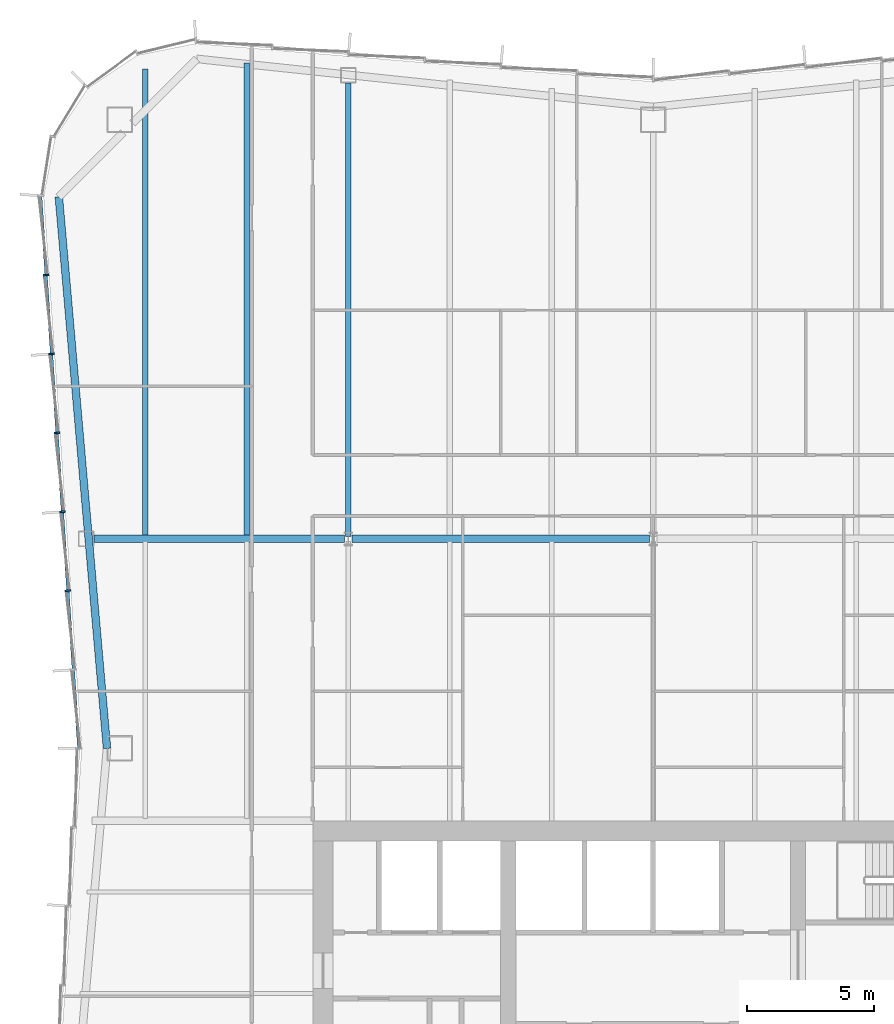
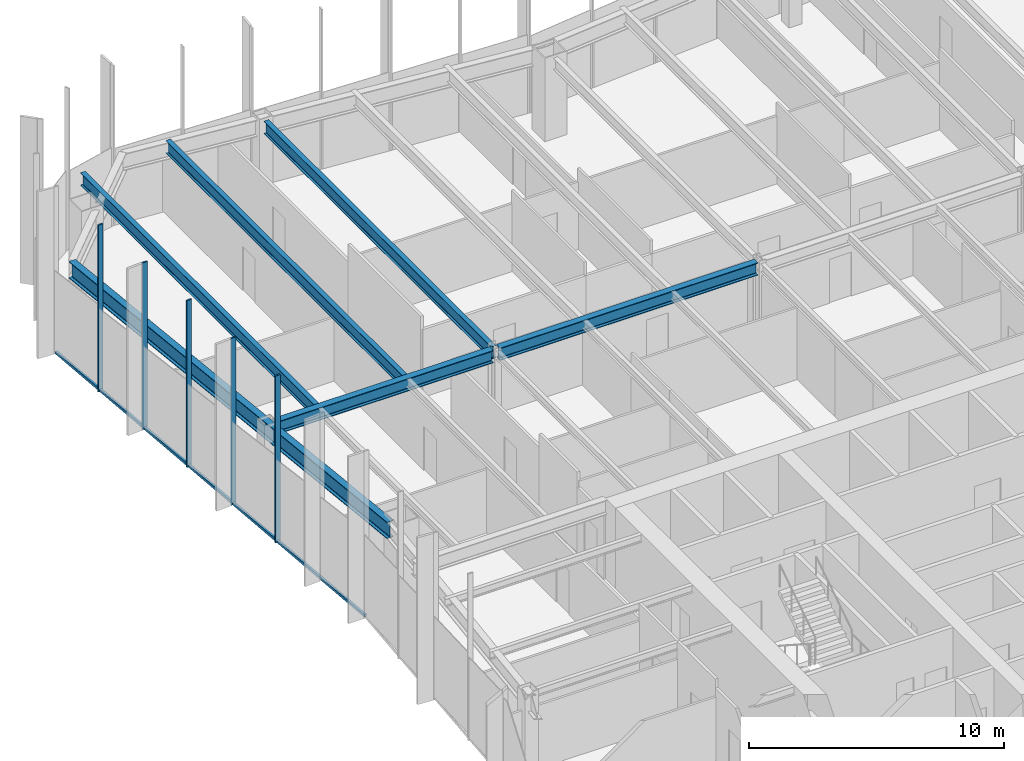
# One storey, part 6 of 15: 6 beams, 6 members, 1 element without a shape of its own.
"""IFC4 building model written with IfcOpenShell, lengths in metres."""

import ifcopenshell
import ifcopenshell.guid

model = None  # the IFC model being written
_history = None  # IfcOwnerHistory: only IFC2X3 demands one
_inside = {}  # id of a spatial element -> (the spatial element, [elements in it])
_under = {}  # id of a project, library or spatial element -> (it, [spatial elements below it])
_declared = {}  # id of a project -> (the project, [libraries it declares])
_typed = {}  # id of a type object -> (the type object, [elements of that type])
_made_of = {}  # id of a material, layer set ... -> (it, [elements and type objects made of it])


def new_model(schema):
    """Start an empty IFC model of exactly this schema.

    Asked for "IFC4X3", IfcOpenShell would pick the latest addendum, in which some entities
    have other attributes; the version numbers below select the first issue.
    IFC2X3 requires an IfcOwnerHistory on every rooted entity: one is made here for all.
    """
    global model, _history
    if schema == "IFC4X3":
        model = ifcopenshell.file(schema_version=(4, 3, 0, 0))
    else:
        model = ifcopenshell.file(schema=schema)
    _inside.clear()
    _under.clear()
    _declared.clear()
    _typed.clear()
    _made_of.clear()
    _history = None
    if model.schema == "IFC2X3":
        org = make("IfcOrganization", Name="unknown")
        user = make(
            "IfcPersonAndOrganization",
            ThePerson=make("IfcPerson", FamilyName="unknown"),
            TheOrganization=org,
        )
        app = make(
            "IfcApplication",
            ApplicationDeveloper=org,
            Version="unknown",
            ApplicationFullName="unknown",
            ApplicationIdentifier="unknown",
        )
        _history = make(
            "IfcOwnerHistory",
            OwningUser=user,
            OwningApplication=app,
            ChangeAction="ADDED",
            CreationDate=0,
        )
    return model


def make(cls, **values):
    """One entity of the class cls with the attributes given. An attribute that is None is left unset."""
    return model.create_entity(
        cls, **{name: value for name, value in values.items() if value is not None}
    )


def rooted(cls, **values):
    """An entity with a GlobalId (a new one), such as an element, a storey or a relation."""
    return make(cls, GlobalId=ifcopenshell.guid.new(), OwnerHistory=_history, **values)


def si_unit(unit_type, name, prefix=None):
    """IfcSIUnit, for example si_unit("LENGTHUNIT", "METRE", prefix="MILLI")."""
    return make("IfcSIUnit", UnitType=unit_type, Prefix=prefix, Name=name)


def assignment(units):
    """IfcUnitAssignment: the units of a project."""
    return None if units is None else make("IfcUnitAssignment", Units=units)


def point(xyz):
    """IfcCartesianPoint."""
    return None if xyz is None else make("IfcCartesianPoint", Coordinates=xyz)


def direction(xyz):
    """IfcDirection."""
    return None if xyz is None else make("IfcDirection", DirectionRatios=xyz)


def frame(location, z_axis=None, x_axis=None):
    """IfcAxis2Placement3D, a coordinate frame: its origin and axes. An axis left out is left unset."""
    return make(
        "IfcAxis2Placement3D",
        Location=point(location),
        Axis=direction(z_axis),
        RefDirection=direction(x_axis),
    )


def frame_2d(location, x_axis=None):
    """IfcAxis2Placement2D, a coordinate frame in the plane: its origin and x axis."""
    return make(
        "IfcAxis2Placement2D", Location=point(location), RefDirection=direction(x_axis)
    )


def origin():
    """The frame at (0, 0, 0) with its axes left unset."""
    return frame((0.0, 0.0, 0.0))


def origin_2d():
    """The frame at (0, 0) in the plane with its x axis left unset."""
    return frame_2d((0.0, 0.0))


def place(relative_to, where):
    """IfcLocalPlacement: puts the frame where relative to a parent placement (None: the world)."""
    return make(
        "IfcLocalPlacement", PlacementRelTo=relative_to, RelativePlacement=where
    )


def context(
    kind, dimensions, precision=None, world=None, true_north=None, identifier=None
):
    """IfcGeometricRepresentationContext, for example the 3D "Model" context."""
    return make(
        "IfcGeometricRepresentationContext",
        ContextIdentifier=identifier,
        ContextType=kind,
        CoordinateSpaceDimension=dimensions,
        Precision=precision,
        WorldCoordinateSystem=world,
        TrueNorth=true_north,
    )


def subcontext(parent, identifier, kind, view, scale=None):
    """IfcGeometricRepresentationSubContext, for example "Body" below "Model"."""
    return make(
        "IfcGeometricRepresentationSubContext",
        ContextIdentifier=identifier,
        ContextType=kind,
        ParentContext=parent,
        TargetScale=scale,
        TargetView=view,
    )


def project(units=None, contexts=None):
    """IfcProject with its units and contexts."""
    return rooted(
        "IfcProject",
        Name="project",
        RepresentationContexts=contexts,
        UnitsInContext=assignment(units),
    )


def spatial(cls, under=None, at=None, **own):
    """A site, building, storey or space (cls), placed at a placement, below another one or the project."""
    s = rooted(cls, ObjectPlacement=at, **own)
    if under is not None:
        _under.setdefault(under.id(), (under, []))[1].append(s)
    return s


def profile(cls, at=None, kind="AREA", **sizes):
    """A parametric profile (cls). Its sizes go by their IFC names, for example OverallWidth=200.0."""
    return make(cls, ProfileType=kind, Position=at, **sizes)


def rectangle(**sizes):
    """IfcRectangleProfileDef."""
    return profile("IfcRectangleProfileDef", **sizes)


def i_section(**sizes):
    """IfcIShapeProfileDef."""
    return profile("IfcIShapeProfileDef", **sizes)


def extrude(swept, where, along, depth):
    """IfcExtrudedAreaSolid: the profile swept, set in the frame where, extruded along a direction by depth."""
    return make(
        "IfcExtrudedAreaSolid",
        SweptArea=swept,
        Position=where,
        ExtrudedDirection=direction(along),
        Depth=depth,
    )


def shape(context_of_items, identifier, shape_type, items):
    """IfcShapeRepresentation: the items that make up one representation, for example the "Body"."""
    return make(
        "IfcShapeRepresentation",
        ContextOfItems=context_of_items,
        RepresentationIdentifier=identifier,
        RepresentationType=shape_type,
        Items=items,
    )


def material(Name=None, Category=None):
    """IfcMaterial."""
    return make("IfcMaterial", Name=Name, Category=Category)


def material_profile(
    of_material, cross_section, Name=None, Category=None, Priority=None
):
    """IfcMaterialProfile: a cross section and its material."""
    return make(
        "IfcMaterialProfile",
        Name=Name,
        Material=of_material,
        Profile=cross_section,
        Priority=Priority,
        Category=Category,
    )


def profile_set(profiles, Name=None, composite=None):
    """IfcMaterialProfileSet."""
    return make(
        "IfcMaterialProfileSet",
        Name=Name,
        MaterialProfiles=profiles,
        CompositeProfile=composite,
    )


def made_of(thing, what):
    """Note that an element or type object is made of a material, layer set ...; save() writes the relation."""
    if what is not None:
        _made_of.setdefault(what.id(), (what, []))[1].append(thing)
    return thing


def type_object(cls, material=None, **own):
    """A type object (cls), such as IfcWallType, which elements share."""
    return made_of(rooted(cls, **own), material)


def element(
    cls,
    number,
    at=None,
    inside=None,
    cuts=None,
    type_object=None,
    material=None,
    context=None,
    identifier="Body",
    shape_type=None,
    held_by="IfcProductDefinitionShape",
    body=None,
    shapes=None,
    **own,
):
    """One element of the class cls, such as IfcWall. Its Tag is "e" and its number.

    at: its placement. inside: the storey or other place that contains it. cuts: it is an
    opening in that element (IfcRelVoidsElement). A single representation is given by context,
    identifier, shape_type and body (its items); several are given by shapes. held_by: the class
    of the entity that holds the representations. save() writes the other relations.
    """
    e = rooted(cls, Tag="e%d" % number, ObjectPlacement=at, **own)
    if body is not None:
        shapes = [shape(context, identifier, shape_type, body)]
    if shapes is not None:
        e.Representation = make(held_by, Representations=shapes)
    if inside is not None:
        _inside.setdefault(inside.id(), (inside, []))[1].append(e)
    if cuts is not None:
        rooted(
            "IfcRelVoidsElement", RelatingBuildingElement=cuts, RelatedOpeningElement=e
        )
    if type_object is not None:
        _typed.setdefault(type_object.id(), (type_object, []))[1].append(e)
    return made_of(e, material)


def aggregate(whole, parts):
    """IfcRelAggregates: a whole, such as a stair, and the parts it consists of."""
    return rooted("IfcRelAggregates", RelatingObject=whole, RelatedObjects=parts)


def save(model, path):
    """Write the relations noted so far, then the file.

    IfcRelAggregates (storeys below a building ...), IfcRelContainedInSpatialStructure (elements
    in a storey), IfcRelDefinesByType, IfcRelAssociatesMaterial and IfcRelDeclares: one each for
    every whole, place, type object, material and project.
    """
    for whole, parts in _under.values():
        aggregate(whole, parts)
    for where, things in _inside.values():
        rooted(
            "IfcRelContainedInSpatialStructure",
            RelatedElements=things,
            RelatingStructure=where,
        )
    for kind, things in _typed.values():
        rooted("IfcRelDefinesByType", RelatedObjects=things, RelatingType=kind)
    for what, things in _made_of.values():
        rooted("IfcRelAssociatesMaterial", RelatedObjects=things, RelatingMaterial=what)
    for by, libraries in _declared.values():
        rooted("IfcRelDeclares", RelatingContext=by, RelatedDefinitions=libraries)
    model.write(path)


model = new_model("IFC4")

# Units and contexts
model_context = context("Model", 3, precision=1e-05, world=origin(), true_north=direction((0.0, 1.0)))
body_context = subcontext(model_context, "Body", "Model", "MODEL_VIEW")
ifc_project = project(units=[si_unit("LENGTHUNIT", "METRE"), si_unit("AREAUNIT", "SQUARE_METRE"), si_unit("VOLUMEUNIT", "CUBIC_METRE"), si_unit("PLANEANGLEUNIT", "RADIAN"), si_unit("MASSUNIT", "GRAM", prefix="KILO")], contexts=[model_context])

# Site, building, storey
site_placement = place(None, origin())
site = spatial("IfcSite", under=ifc_project, at=site_placement, CompositionType="ELEMENT")
building_placement = place(site_placement, origin())
building = spatial("IfcBuilding", under=site, at=building_placement, Name="Verdant Reach Tower", CompositionType="ELEMENT")
storey_placement = place(building_placement, frame((0.0, 0.0, 274.0)))
storey = spatial("IfcBuildingStorey", under=building, at=storey_placement, Name="L63", CompositionType="ELEMENT", Elevation=274.0)

# Curtain wall, members
ifc_material_1 = material(Name="Anodised aluminium", Category="aluminium")
curtain_wall_type = type_object("IfcCurtainWallType", Name="EN-CW SYSTEM Z4", PredefinedType="NOTDEFINED", material=ifc_material_1)
curtain_wall_placement = place(storey_placement, origin())
curtain_wall = element("IfcCurtainWall", 1, at=curtain_wall_placement, inside=storey, type_object=curtain_wall_type, Name="Curtain wall west, L63", PredefinedType="NOTDEFINED")
ifc_material_profile_1 = material_profile(ifc_material_1, rectangle(XDim=0.22412109375, YDim=0.068115234375, at=origin_2d()), Name="Mullion 68x224")
ifc_profile_set_1 = profile_set([ifc_material_profile_1], Name="Anodised aluminium")
member_type_1 = type_object("IfcMemberType", Name="EN-MULLION Z4", PredefinedType="MULLION", material=ifc_profile_set_1)
member_1_placement = place(storey_placement, frame((-23.8974609375, 59.88525390625, -0.35009765625), z_axis=(0.0, 0.0, 1.0), x_axis=(-0.997630328423, -0.068802091615, 0.0)))
member_1 = element("IfcMember", 2, at=member_1_placement, type_object=member_type_1, Name="Mullion west face part 1 2, L63", PredefinedType="MULLION", context=body_context, shape_type="SweptSolid", body=[
    extrude(rectangle(XDim=0.22412109375, YDim=0.068115234375, at=origin_2d()), origin(), (0.0, 0.0, 1.0), 8.0),
])
member_2_placement = place(storey_placement, frame((-23.68310546875, 56.778076171875, -0.35009765625), z_axis=(0.0, 0.0, 1.0), x_axis=(-0.997630328423, -0.068802091615, 0.0)))
member_2 = element("IfcMember", 3, at=member_2_placement, type_object=member_type_1, Name="Mullion west face part 1 3, L63", PredefinedType="MULLION", context=body_context, shape_type="SweptSolid", body=[
    extrude(rectangle(XDim=0.22412109375, YDim=0.068115234375, at=origin_2d()), origin(), (0.0, 0.0, 1.0), 8.0),
])
member_3_placement = place(storey_placement, frame((-23.468994140625, 53.6708984375, -0.35009765625), z_axis=(0.0, 0.0, 1.0), x_axis=(-0.997630328423, -0.068802091615, 0.0)))
member_3 = element("IfcMember", 4, at=member_3_placement, type_object=member_type_1, Name="Mullion west face part 1 4, L63", PredefinedType="MULLION", context=body_context, shape_type="SweptSolid", body=[
    extrude(rectangle(XDim=0.22412109375, YDim=0.068115234375, at=origin_2d()), origin(), (0.0, 0.0, 1.0), 8.0),
])
member_4_placement = place(storey_placement, frame((-23.254638671875, 50.563720703125, -0.35009765625), z_axis=(0.0, 0.0, 1.0), x_axis=(-0.997630328423, -0.068802091615, 0.0)))
member_4 = element("IfcMember", 5, at=member_4_placement, type_object=member_type_1, Name="Mullion west face part 1 5, L63", PredefinedType="MULLION", context=body_context, shape_type="SweptSolid", body=[
    extrude(rectangle(XDim=0.22412109375, YDim=0.068115234375, at=origin_2d()), origin(), (0.0, 0.0, 1.0), 8.0),
])
member_5_placement = place(storey_placement, frame((-23.040283203125, 47.45654296875, -0.35009765625), z_axis=(0.0, 0.0, 1.0), x_axis=(-0.997630328423, -0.068802091615, 0.0)))
member_5 = element("IfcMember", 6, at=member_5_placement, type_object=member_type_1, Name="Mullion west face part 1 6, L63", PredefinedType="MULLION", context=body_context, shape_type="SweptSolid", body=[
    extrude(rectangle(XDim=0.22412109375, YDim=0.068115234375, at=origin_2d()), origin(), (0.0, 0.0, 1.0), 8.0),
])
ifc_material_profile_2 = material_profile(ifc_material_1, rectangle(XDim=0.10009765625, YDim=0.1279296875, at=origin_2d()), Name="Transom 128x100")
ifc_profile_set_2 = profile_set([ifc_material_profile_2], Name="Anodised aluminium")
member_type_2 = type_object("IfcMemberType", Name="EN-TRANSOM Z4", PredefinedType="USERDEFINED", material=ifc_profile_set_2)
member_6_placement = place(storey_placement, frame((-24.109375, 62.97314453125, -0.285888671875), z_axis=(0.068770489035, -0.997632507408, 0.0), x_axis=(0.997632507408, 0.068770489035, 0.0)))
member_6 = element("IfcMember", 7, at=member_6_placement, type_object=member_type_2, Name="Transom west face part 1 1.1, L63", ObjectType="TRANSOM", PredefinedType="USERDEFINED", context=body_context, shape_type="SweptSolid", body=[
    extrude(rectangle(XDim=0.10009765625, YDim=0.1279296875, at=origin_2d()), origin(), (0.0, 0.0, 1.0), 21.74072265625),
])
aggregate(curtain_wall, [member_1, member_2, member_3, member_4, member_5, member_6])

# Beams
ifc_material_2 = material(Name="Steel S355", Category="steel")
ifc_material_profile_3 = material_profile(ifc_material_2, i_section(OverallWidth=0.300048828125, OverallDepth=0.60009765625, WebThickness=0.015380859375, FlangeThickness=0.030029296875, FilletRadius=0.027099609375, at=origin_2d()), Name="HEB 600")
ifc_profile_set_3 = profile_set([ifc_material_profile_3], Name="Steel S355")
beam_type_1 = type_object("IfcBeamType", Name="ST-BEAM-HEB600", PredefinedType="BEAM", material=ifc_profile_set_3)
beam_1_placement = place(storey_placement, frame((-22.01904296875, 49.5, 3.570068359375), z_axis=(1.0, 0.0, 0.0), x_axis=(0.0, 1.0, 0.0)))
element("IfcBeam", 8, at=beam_1_placement, inside=storey, type_object=beam_type_1, Name="Row girder, L63", PredefinedType="BEAM", context=body_context, shape_type="SweptSolid", body=[
    extrude(i_section(OverallWidth=0.300048828125, OverallDepth=0.60009765625, WebThickness=0.015380859375, FlangeThickness=0.030029296875, FilletRadius=0.027099609375, at=origin_2d()), origin(), (0.0, 0.0, 1.0), 9.865966796875),
])
beam_2_placement = place(storey_placement, frame((-11.846923828125, 49.5, 3.570068359375), z_axis=(1.0, 0.0, 0.0), x_axis=(0.0, 1.0, 0.0)))
element("IfcBeam", 9, at=beam_2_placement, inside=storey, type_object=beam_type_1, Name="Row girder, L63", PredefinedType="BEAM", context=body_context, shape_type="SweptSolid", body=[
    extrude(i_section(OverallWidth=0.300048828125, OverallDepth=0.60009765625, WebThickness=0.015380859375, FlangeThickness=0.030029296875, FilletRadius=0.027099609375, at=origin_2d()), origin(), (0.0, 0.0, 1.0), 11.69384765625),
])
ifc_material_profile_4 = material_profile(ifc_material_2, i_section(OverallWidth=0.219970703125, OverallDepth=0.60009765625, WebThickness=0.011962890625, FlangeThickness=0.01904296875, FilletRadius=0.02392578125, at=origin_2d()), Name="IPE 600")
ifc_profile_set_4 = profile_set([ifc_material_profile_4], Name="Steel S355")
beam_type_2 = type_object("IfcBeamType", Name="ST-JOIST-IPE600", PredefinedType="JOIST", material=ifc_profile_set_4)
beam_3_placement = place(storey_placement, frame((-20.0, 49.60009765625, 3.570068359375), z_axis=(0.0, 1.0, 0.0), x_axis=(-1.0, 0.0, 0.0)))
element("IfcBeam", 10, at=beam_3_placement, inside=storey, type_object=beam_type_2, Name="Floor joist, L63", PredefinedType="JOIST", context=body_context, shape_type="SweptSolid", body=[
    extrude(i_section(OverallWidth=0.219970703125, OverallDepth=0.60009765625, WebThickness=0.011962890625, FlangeThickness=0.01904296875, FilletRadius=0.02392578125, at=origin_2d()), origin(), (0.0, 0.0, 1.0), 18.390380859375),
])
beam_4_placement = place(storey_placement, frame((-16.0, 49.60009765625, 3.570068359375), z_axis=(0.0, 1.0, 0.0), x_axis=(-1.0, 0.0, 0.0)))
element("IfcBeam", 11, at=beam_4_placement, inside=storey, type_object=beam_type_2, Name="Floor joist, L63", PredefinedType="JOIST", context=body_context, shape_type="SweptSolid", body=[
    extrude(i_section(OverallWidth=0.219970703125, OverallDepth=0.60009765625, WebThickness=0.011962890625, FlangeThickness=0.01904296875, FilletRadius=0.02392578125, at=origin_2d()), origin(), (0.0, 0.0, 1.0), 18.631103515625),
])
beam_5_placement = place(storey_placement, frame((-12.0, 49.60009765625, 3.570068359375), z_axis=(0.0, 1.0, 0.0), x_axis=(-1.0, 0.0, 0.0)))
element("IfcBeam", 12, at=beam_5_placement, inside=storey, type_object=beam_type_2, Name="Floor joist, L63", PredefinedType="JOIST", context=body_context, shape_type="SweptSolid", body=[
    extrude(i_section(OverallWidth=0.219970703125, OverallDepth=0.60009765625, WebThickness=0.011962890625, FlangeThickness=0.01904296875, FilletRadius=0.02392578125, at=origin_2d()), origin(), (0.0, 0.0, 1.0), 17.849853515625),
])
ifc_material_profile_5 = material_profile(ifc_material_2, i_section(OverallWidth=0.300048828125, OverallDepth=0.800048828125, WebThickness=0.017578125, FlangeThickness=0.032958984375, FilletRadius=0.030029296875, at=origin_2d()), Name="HEB 800")
ifc_profile_set_5 = profile_set([ifc_material_profile_5], Name="Steel S355")
beam_type_3 = type_object("IfcBeamType", Name="ST-SPANDREL-HEB800", PredefinedType="SPANDREL", material=ifc_profile_set_5)
beam_6_placement = place(storey_placement, frame((-21.5, 41.25, 3.469970703125), z_axis=(-0.086996024331, 0.996208658741, 0.0), x_axis=(-0.996208658741, -0.086996024331, 0.0)))
element("IfcBeam", 13, at=beam_6_placement, inside=storey, type_object=beam_type_3, Name="Edge beam, L63", PredefinedType="SPANDREL", context=body_context, shape_type="SweptSolid", body=[
    extrude(i_section(OverallWidth=0.300048828125, OverallDepth=0.800048828125, WebThickness=0.017578125, FlangeThickness=0.032958984375, FilletRadius=0.030029296875, at=origin_2d()), origin(), (0.0, 0.0, 1.0), 21.7939453125),
])

save(model, "model.ifc")
